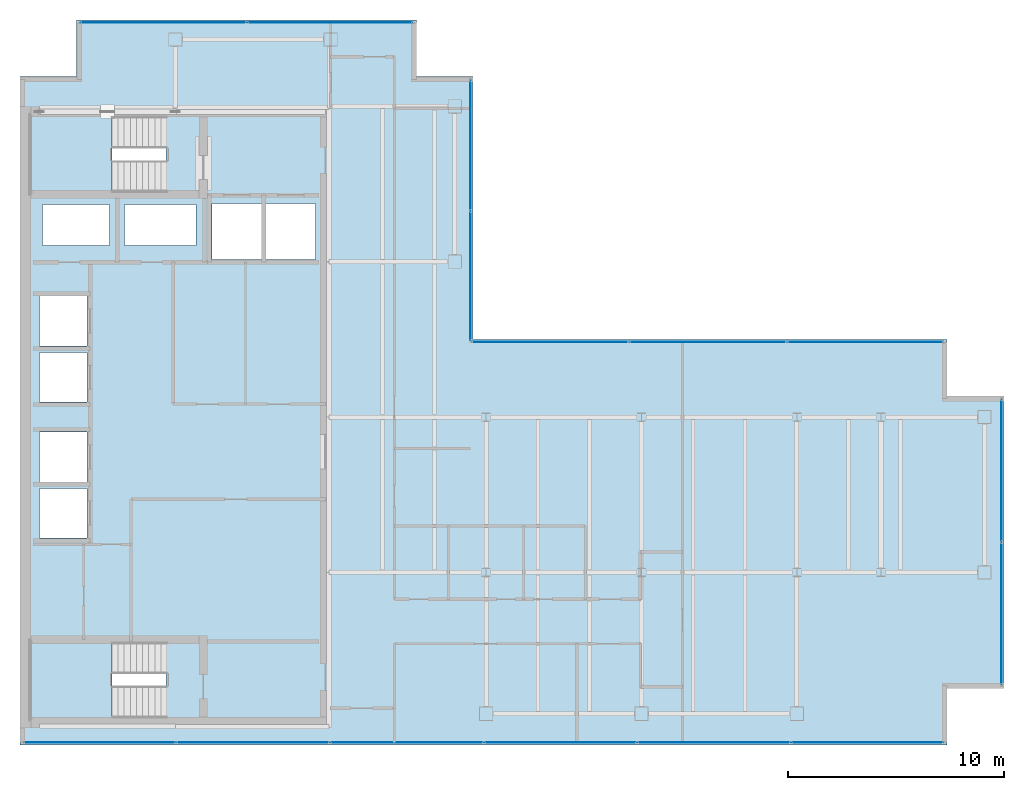
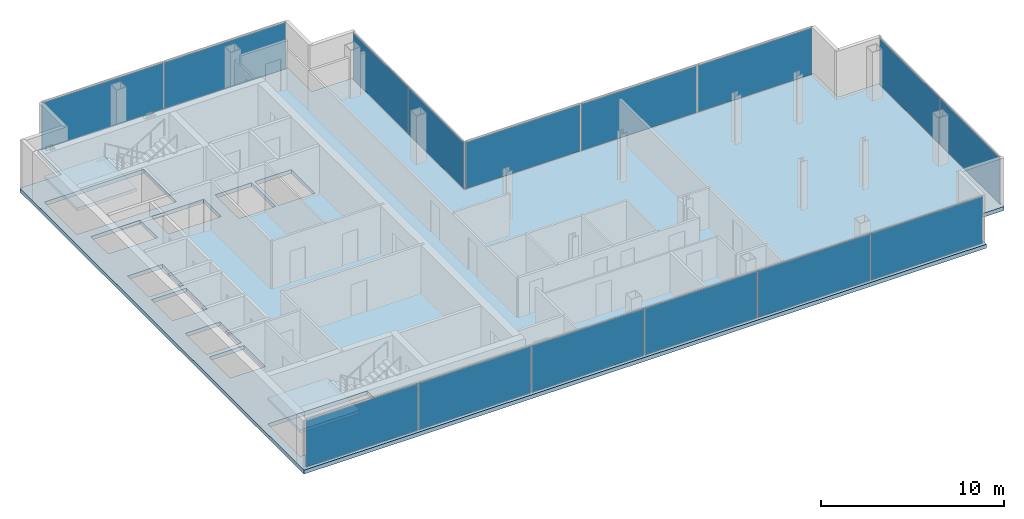
# One storey, part 19 of 23: 15 plates, 3 slabs, 10 openings, 7 elements without a shape of their own.
"""IFC4 building model written with IfcOpenShell, lengths in metres."""

from ifc_helpers import new_model, si_unit, direction, frame, origin, origin_2d, place, context, subcontext, project, spatial, polyline, rectangle, outline, extrude, material, layer, layer_set, type_object, element, aggregate, save


model = new_model("IFC4")

# Units and contexts
model_context = context("Model", 3, precision=1e-05, world=origin(), true_north=direction((0.0, 1.0)))
body_context = subcontext(model_context, "Body", "Model", "MODEL_VIEW")
ifc_project = project(units=[si_unit("LENGTHUNIT", "METRE"), si_unit("AREAUNIT", "SQUARE_METRE"), si_unit("VOLUMEUNIT", "CUBIC_METRE"), si_unit("PLANEANGLEUNIT", "RADIAN"), si_unit("MASSUNIT", "GRAM", prefix="KILO")], contexts=[model_context])

# Site, building, storey
site_placement = place(None, origin())
site = spatial("IfcSite", under=ifc_project, at=site_placement, CompositionType="ELEMENT")
building_placement = place(site_placement, origin())
building = spatial("IfcBuilding", under=site, at=building_placement, Name="Cobrela Telecom Tower", CompositionType="ELEMENT")
storey_placement = place(building_placement, frame((0.0, 0.0, 276.14990234375)))
storey = spatial("IfcBuildingStorey", under=building, at=storey_placement, Name="L72", CompositionType="ELEMENT", Elevation=276.14990234375)

# Curtain wall, plates
ifc_material_1 = material(Name="Anodized Bronze Aluminium 6063-T6", Category="aluminium")
curtain_wall_type = type_object("IfcCurtainWallType", Name="CW-SYS-OFF-HI", PredefinedType="USERDEFINED", material=ifc_material_1)
curtain_wall_1_placement = place(storey_placement, origin())
curtain_wall_1 = element("IfcCurtainWall", 1, at=curtain_wall_1_placement, inside=storey, type_object=curtain_wall_type, Name="L72 Unitised Bronze Curtain Wall 05", ObjectType="UNITISED CURTAIN WALL", PredefinedType="USERDEFINED")
ifc_material_2 = material(Name="Solar-Control Bronze Low-E Glass", Category="glass")
ifc_layer_1 = layer(ifc_material_2, 0.030029296875)
ifc_layer_set_1 = layer_set([ifc_layer_1], Name="Solar-Control Bronze Low-E Glass")
plate_type = type_object("IfcPlateType", Name="CW-SYS-OFF-HI-PNL", PredefinedType="CURTAIN_PANEL", material=ifc_layer_set_1)
plate_1_placement = place(storey_placement, frame((6.642578125, 39.8798828125, 0.06494140625), z_axis=(0.0, 0.0, 1.0), x_axis=(1.0, 0.0, 0.0)))
plate_1 = element("IfcPlate", 2, at=plate_1_placement, type_object=plate_type, Name="CW-OFF-HI panel 1.1", PredefinedType="CURTAIN_PANEL", context=body_context, shape_type="SweptSolid", body=[
    extrude(rectangle(XDim=7.64501953125, YDim=0.030029296875, at=origin_2d()), origin(), (0.0, 0.0, 1.0), 3.110107421875),
])
plate_2_placement = place(storey_placement, frame((14.357421875, 39.8798828125, 0.06494140625), z_axis=(0.0, 0.0, 1.0), x_axis=(1.0, 0.0, 0.0)))
plate_2 = element("IfcPlate", 3, at=plate_2_placement, type_object=plate_type, Name="CW-OFF-HI panel 2.1", PredefinedType="CURTAIN_PANEL", context=body_context, shape_type="SweptSolid", body=[
    extrude(rectangle(XDim=7.64501953125, YDim=0.030029296875, at=origin_2d()), origin(), (0.0, 0.0, 1.0), 3.110107421875),
])
aggregate(curtain_wall_1, [plate_1, plate_2])

curtain_wall_2_placement = place(storey_placement, origin())
curtain_wall_2 = element("IfcCurtainWall", 4, at=curtain_wall_2_placement, inside=storey, type_object=curtain_wall_type, Name="L72 Unitised Bronze Curtain Wall 08", ObjectType="UNITISED CURTAIN WALL", PredefinedType="USERDEFINED")
plate_3_placement = place(storey_placement, frame((20.8798828125, 34.18994140625, 0.06494140625), z_axis=(0.0, 0.0, 1.0), x_axis=(0.0, -1.0, 0.0)))
plate_3 = element("IfcPlate", 5, at=plate_3_placement, type_object=plate_type, Name="CW-OFF-HI panel 1.1", PredefinedType="CURTAIN_PANEL", context=body_context, shape_type="SweptSolid", body=[
    extrude(rectangle(XDim=5.97998046875, YDim=0.030029296875, at=origin_2d()), origin(), (0.0, 0.0, 1.0), 3.110107421875),
])
plate_4_placement = place(storey_placement, frame((20.8798828125, 28.139892578125, 0.06494140625), z_axis=(0.0, 0.0, 1.0), x_axis=(0.0, -1.0, 0.0)))
plate_4 = element("IfcPlate", 6, at=plate_4_placement, type_object=plate_type, Name="CW-OFF-HI panel 2.1", PredefinedType="CURTAIN_PANEL", context=body_context, shape_type="SweptSolid", body=[
    extrude(rectangle(XDim=5.97998046875, YDim=0.030029296875, at=origin_2d()), origin(), (0.0, 0.0, 1.0), 3.110107421875),
])
aggregate(curtain_wall_2, [plate_3, plate_4])

curtain_wall_3_placement = place(storey_placement, origin())
curtain_wall_3 = element("IfcCurtainWall", 7, at=curtain_wall_3_placement, inside=storey, type_object=curtain_wall_type, Name="L72 Unitised Bronze Curtain Wall 09", ObjectType="UNITISED CURTAIN WALL", PredefinedType="USERDEFINED")
plate_5_placement = place(storey_placement, frame((24.55908203125, 25.080078125, 0.06494140625), z_axis=(0.0, 0.0, 1.0), x_axis=(1.0, 0.0, 0.0)))
plate_5 = element("IfcPlate", 8, at=plate_5_placement, type_object=plate_type, Name="CW-OFF-HI panel 1.1", PredefinedType="CURTAIN_PANEL", context=body_context, shape_type="SweptSolid", body=[
    extrude(rectangle(XDim=7.21826171875, YDim=0.030029296875, at=origin_2d()), origin(), (0.0, 0.0, 1.0), 3.110107421875),
])
plate_6_placement = place(storey_placement, frame((31.864990234375, 25.080078125, 0.06494140625), z_axis=(0.0, 0.0, 1.0), x_axis=(1.0, 0.0, 0.0)))
plate_6 = element("IfcPlate", 9, at=plate_6_placement, type_object=plate_type, Name="CW-OFF-HI panel 2.1", PredefinedType="CURTAIN_PANEL", context=body_context, shape_type="SweptSolid", body=[
    extrude(rectangle(XDim=7.25341796875, YDim=0.030029296875, at=origin_2d()), origin(), (0.0, 0.0, 1.0), 3.110107421875),
])
plate_7_placement = place(storey_placement, frame((39.1708984375, 25.080078125, 0.06494140625), z_axis=(0.0, 0.0, 1.0), x_axis=(1.0, 0.0, 0.0)))
plate_7 = element("IfcPlate", 10, at=plate_7_placement, type_object=plate_type, Name="CW-OFF-HI panel 3.1", PredefinedType="CURTAIN_PANEL", context=body_context, shape_type="SweptSolid", body=[
    extrude(rectangle(XDim=7.21826171875, YDim=0.030029296875, at=origin_2d()), origin(), (0.0, 0.0, 1.0), 3.110107421875),
])
aggregate(curtain_wall_3, [plate_5, plate_6, plate_7])

curtain_wall_4_placement = place(storey_placement, origin())
curtain_wall_4 = element("IfcCurtainWall", 11, at=curtain_wall_4_placement, inside=storey, type_object=curtain_wall_type, Name="L72 Unitised Bronze Curtain Wall 12", ObjectType="UNITISED CURTAIN WALL", PredefinedType="USERDEFINED")
plate_8_placement = place(storey_placement, frame((45.47998046875, 19.107421875, 0.06494140625), z_axis=(0.0, 0.0, 1.0), x_axis=(0.0, -1.0, 0.0)))
plate_8 = element("IfcPlate", 12, at=plate_8_placement, type_object=plate_type, Name="CW-OFF-HI panel 1.1", PredefinedType="CURTAIN_PANEL", context=body_context, shape_type="SweptSolid", body=[
    extrude(rectangle(XDim=6.544921875, YDim=0.030029296875, at=origin_2d()), origin(), (0.0, 0.0, 1.0), 3.110107421875),
])
plate_9_placement = place(storey_placement, frame((45.47998046875, 12.492431640625, 0.06494140625), z_axis=(0.0, 0.0, 1.0), x_axis=(0.0, -1.0, 0.0)))
plate_9 = element("IfcPlate", 13, at=plate_9_placement, type_object=plate_type, Name="CW-OFF-HI panel 2.1", PredefinedType="CURTAIN_PANEL", context=body_context, shape_type="SweptSolid", body=[
    extrude(rectangle(XDim=6.544921875, YDim=0.030029296875, at=origin_2d()), origin(), (0.0, 0.0, 1.0), 3.110107421875),
])
aggregate(curtain_wall_4, [plate_8, plate_9])

curtain_wall_5_placement = place(storey_placement, origin())
curtain_wall_5 = element("IfcCurtainWall", 14, at=curtain_wall_5_placement, inside=storey, type_object=curtain_wall_type, Name="L72 Unitised Bronze Curtain Wall 15", ObjectType="UNITISED CURTAIN WALL", PredefinedType="USERDEFINED")
plate_10_placement = place(storey_placement, frame((39.271728515625, 6.52001953125, 0.06494140625), z_axis=(0.0, 0.0, 1.0), x_axis=(-1.0, 0.0, 0.0)))
plate_10 = element("IfcPlate", 15, at=plate_10_placement, type_object=plate_type, Name="CW-OFF-HI panel 1.1", PredefinedType="CURTAIN_PANEL", context=body_context, shape_type="SweptSolid", body=[
    extrude(rectangle(XDim=7.0166015625, YDim=0.030029296875, at=origin_2d()), origin(), (0.0, 0.0, 1.0), 3.110107421875),
])
plate_11_placement = place(storey_placement, frame((32.16748046875, 6.52001953125, 0.06494140625), z_axis=(0.0, 0.0, 1.0), x_axis=(-1.0, 0.0, 0.0)))
plate_11 = element("IfcPlate", 16, at=plate_11_placement, type_object=plate_type, Name="CW-OFF-HI panel 2.1", PredefinedType="CURTAIN_PANEL", context=body_context, shape_type="SweptSolid", body=[
    extrude(rectangle(XDim=7.0517578125, YDim=0.030029296875, at=origin_2d()), origin(), (0.0, 0.0, 1.0), 3.110107421875),
])
plate_12_placement = place(storey_placement, frame((25.0458984375, 6.52001953125, 0.06494140625), z_axis=(0.0, 0.0, 1.0), x_axis=(-1.0, 0.0, 0.0)))
plate_12 = element("IfcPlate", 17, at=plate_12_placement, type_object=plate_type, Name="CW-OFF-HI panel 3.1", PredefinedType="CURTAIN_PANEL", context=body_context, shape_type="SweptSolid", body=[
    extrude(rectangle(XDim=7.0517578125, YDim=0.030029296875, at=origin_2d()), origin(), (0.0, 0.0, 1.0), 3.110107421875),
])
plate_13_placement = place(storey_placement, frame((17.924072265625, 6.52001953125, 0.06494140625), z_axis=(0.0, 0.0, 1.0), x_axis=(-1.0, 0.0, 0.0)))
plate_13 = element("IfcPlate", 18, at=plate_13_placement, type_object=plate_type, Name="CW-OFF-HI panel 4.1", PredefinedType="CURTAIN_PANEL", context=body_context, shape_type="SweptSolid", body=[
    extrude(rectangle(XDim=7.0517578125, YDim=0.030029296875, at=origin_2d()), origin(), (0.0, 0.0, 1.0), 3.110107421875),
])
plate_14_placement = place(storey_placement, frame((10.802490234375, 6.52001953125, 0.06494140625), z_axis=(0.0, 0.0, 1.0), x_axis=(-1.0, 0.0, 0.0)))
plate_14 = element("IfcPlate", 19, at=plate_14_placement, type_object=plate_type, Name="CW-OFF-HI panel 5.1", PredefinedType="CURTAIN_PANEL", context=body_context, shape_type="SweptSolid", body=[
    extrude(rectangle(XDim=7.0517578125, YDim=0.030029296875, at=origin_2d()), origin(), (0.0, 0.0, 1.0), 3.110107421875),
])
plate_15_placement = place(storey_placement, frame((3.6982421875, 6.52001953125, 0.06494140625), z_axis=(0.0, 0.0, 1.0), x_axis=(-1.0, 0.0, 0.0)))
plate_15 = element("IfcPlate", 20, at=plate_15_placement, type_object=plate_type, Name="CW-OFF-HI panel 6.1", PredefinedType="CURTAIN_PANEL", context=body_context, shape_type="SweptSolid", body=[
    extrude(rectangle(XDim=7.0166015625, YDim=0.030029296875, at=origin_2d()), origin(), (0.0, 0.0, 1.0), 3.110107421875),
])
aggregate(curtain_wall_5, [plate_10, plate_11, plate_12, plate_13, plate_14, plate_15])

# Slab, openings
ifc_material_3 = material(Name="Concrete C40/50", Category="concrete")
ifc_layer_2 = layer(ifc_material_3, 0.260009765625)
ifc_layer_set_2 = layer_set([ifc_layer_2], Name="Concrete C40/50")
slab_type_1 = type_object("IfcSlabType", Name="SLAB-FLR-260", PredefinedType="FLOOR", material=ifc_layer_set_2)
slab_1_placement = place(storey_placement, frame((0.0, 0.0, -0.260009765625)))
slab_1 = element("IfcSlab", 21, at=slab_1_placement, inside=storey, type_object=slab_type_1, Name="L72 Structural Floor Slab", PredefinedType="FLOOR", context=body_context, shape_type="SweptSolid", body=[
    extrude(outline(polyline([(0.0, 6.39990234375), (42.969970703125, 6.39990234375), (42.969970703125, 9.030029296875), (45.60009765625, 9.030029296875), (45.60009765625, 22.570068359375), (42.969970703125, 22.570068359375), (42.969970703125, 25.199951171875), (21.0, 25.199951171875), (21.0, 37.3701171875), (18.3701171875, 37.3701171875), (18.3701171875, 40.0), (2.6298828125, 40.0), (2.6298828125, 37.3701171875), (0.0, 37.3701171875), (0.0, 6.39990234375)])), origin(), (0.0, 0.0, 1.0), 0.260009765625),
])
opening_1_placement = place(slab_1_placement, frame((0.0, 0.0, -0.02001953125)))
element("IfcOpeningElement", 22, at=opening_1_placement, cuts=slab_1, Name="Slab Shaft Opening SLAB-L72-MAIN.1", PredefinedType="OPENING", context=body_context, shape_type="SweptSolid", body=[
    extrude(outline(polyline([(8.89990234375, 28.89990234375), (11.199951171875, 28.89990234375), (11.199951171875, 31.5), (8.89990234375, 31.5), (8.89990234375, 28.89990234375)])), origin(), (0.0, 0.0, 1.0), 0.300048828125),
])
opening_2_placement = place(slab_1_placement, frame((0.0, 0.0, -0.02001953125)))
element("IfcOpeningElement", 23, at=opening_2_placement, cuts=slab_1, Name="Slab Shaft Opening SLAB-L72-MAIN.2", PredefinedType="OPENING", context=body_context, shape_type="SweptSolid", body=[
    extrude(outline(polyline([(11.39990234375, 28.89990234375), (13.699951171875, 28.89990234375), (13.699951171875, 31.5), (11.39990234375, 31.5), (11.39990234375, 28.89990234375)])), origin(), (0.0, 0.0, 1.0), 0.300048828125),
])
opening_3_placement = place(slab_1_placement, frame((0.0, 0.0, -0.02001953125)))
element("IfcOpeningElement", 24, at=opening_3_placement, cuts=slab_1, Name="Slab Shaft Opening SLAB-L72-MAIN.3", PredefinedType="OPENING", context=body_context, shape_type="SweptSolid", body=[
    extrude(outline(polyline([(0.89990234375, 16.0), (3.10009765625, 16.0), (3.10009765625, 18.300048828125), (0.89990234375, 18.300048828125), (0.89990234375, 16.0)])), origin(), (0.0, 0.0, 1.0), 0.300048828125),
])
opening_4_placement = place(slab_1_placement, frame((0.0, 0.0, -0.02001953125)))
element("IfcOpeningElement", 25, at=opening_4_placement, cuts=slab_1, Name="Slab Shaft Opening SLAB-L72-MAIN.4", PredefinedType="OPENING", context=body_context, shape_type="SweptSolid", body=[
    extrude(outline(polyline([(0.89990234375, 18.60009765625), (3.10009765625, 18.60009765625), (3.10009765625, 20.89990234375), (0.89990234375, 20.89990234375), (0.89990234375, 18.60009765625)])), origin(), (0.0, 0.0, 1.0), 0.300048828125),
])
opening_5_placement = place(slab_1_placement, frame((0.0, 0.0, -0.02001953125)))
element("IfcOpeningElement", 26, at=opening_5_placement, cuts=slab_1, Name="Slab Shaft Opening SLAB-L72-MAIN.5", PredefinedType="OPENING", context=body_context, shape_type="SweptSolid", body=[
    extrude(outline(polyline([(0.89990234375, 22.300048828125), (3.10009765625, 22.300048828125), (3.10009765625, 24.60009765625), (0.89990234375, 24.60009765625), (0.89990234375, 22.300048828125)])), origin(), (0.0, 0.0, 1.0), 0.300048828125),
])
opening_6_placement = place(slab_1_placement, frame((0.0, 0.0, -0.02001953125)))
element("IfcOpeningElement", 27, at=opening_6_placement, cuts=slab_1, Name="Slab Shaft Opening SLAB-L72-MAIN.6", PredefinedType="OPENING", context=body_context, shape_type="SweptSolid", body=[
    extrude(outline(polyline([(0.89990234375, 24.89990234375), (3.10009765625, 24.89990234375), (3.10009765625, 27.199951171875), (0.89990234375, 27.199951171875), (0.89990234375, 24.89990234375)])), origin(), (0.0, 0.0, 1.0), 0.300048828125),
])
opening_7_placement = place(slab_1_placement, frame((0.0, 0.0, -0.02001953125)))
element("IfcOpeningElement", 28, at=opening_7_placement, cuts=slab_1, Name="Slab Shaft Opening SLAB-L72-MAIN.7", PredefinedType="OPENING", context=body_context, shape_type="SweptSolid", body=[
    extrude(outline(polyline([(1.050048828125, 29.550048828125), (4.14990234375, 29.550048828125), (4.14990234375, 31.449951171875), (1.050048828125, 31.449951171875), (1.050048828125, 29.550048828125)])), origin(), (0.0, 0.0, 1.0), 0.300048828125),
])
opening_8_placement = place(slab_1_placement, frame((0.0, 0.0, -0.02001953125)))
element("IfcOpeningElement", 29, at=opening_8_placement, cuts=slab_1, Name="Slab Shaft Opening SLAB-L72-MAIN.8", PredefinedType="OPENING", context=body_context, shape_type="SweptSolid", body=[
    extrude(outline(polyline([(4.85009765625, 29.550048828125), (8.14990234375, 29.550048828125), (8.14990234375, 31.449951171875), (4.85009765625, 31.449951171875), (4.85009765625, 29.550048828125)])), origin(), (0.0, 0.0, 1.0), 0.300048828125),
])
opening_9_placement = place(slab_1_placement, frame((0.0, 0.0, -0.02001953125)))
element("IfcOpeningElement", 30, at=opening_9_placement, cuts=slab_1, Name="Slab Shaft Opening SLAB-L72-MAIN.9", PredefinedType="OPENING", context=body_context, shape_type="SweptSolid", body=[
    extrude(outline(polyline([(6.7548828125, 35.550048828125), (0.47998046875, 35.550048828125), (0.47998046875, 32.0), (6.7548828125, 32.0), (6.7548828125, 35.550048828125)])), origin(), (0.0, 0.0, 1.0), 0.300048828125),
])
opening_10_placement = place(slab_1_placement, frame((0.0, 0.0, -0.02001953125)))
element("IfcOpeningElement", 31, at=opening_10_placement, cuts=slab_1, Name="Slab Shaft Opening SLAB-L72-MAIN.10", PredefinedType="OPENING", context=body_context, shape_type="SweptSolid", body=[
    extrude(outline(polyline([(6.7548828125, 11.199951171875), (0.47998046875, 11.199951171875), (0.47998046875, 7.64990234375), (6.7548828125, 7.64990234375), (6.7548828125, 11.199951171875)])), origin(), (0.0, 0.0, 1.0), 0.300048828125),
])

# Stair, slab
stair_type = type_object("IfcStairType", Name="STAIR-CORE", PredefinedType="HALF_TURN_STAIR", material=ifc_material_3)
stair_1_placement = place(storey_placement, origin())
stair_1 = element("IfcStair", 32, at=stair_1_placement, inside=storey, type_object=stair_type, Name="L72 Smokeproof Exit Stair ST1", PredefinedType="HALF_TURN_STAIR")
ifc_layer_3 = layer(ifc_material_3, 0.199951171875)
ifc_layer_set_3 = layer_set([ifc_layer_3], Name="Concrete C40/50")
slab_type_2 = type_object("IfcSlabType", Name="SLAB-LAND-200", PredefinedType="LANDING", material=ifc_layer_set_3)
slab_2_placement = place(storey_placement, frame((0.0, 0.0, 1.550048828125)))
slab_2 = element("IfcSlab", 33, at=slab_2_placement, type_object=slab_type_2, Name="ST1 landing 1", PredefinedType="LANDING", context=body_context, shape_type="SweptSolid", body=[
    extrude(outline(polyline([(4.2548828125, 35.550048828125), (0.47998046875, 35.550048828125), (0.47998046875, 32.0), (4.2548828125, 32.0), (4.2548828125, 35.550048828125)])), origin(), (0.0, 0.0, 1.0), 0.199951171875),
])
aggregate(stair_1, [slab_2])

stair_2_placement = place(storey_placement, origin())
stair_2 = element("IfcStair", 34, at=stair_2_placement, inside=storey, type_object=stair_type, Name="L72 Smokeproof Exit Stair ST2", PredefinedType="HALF_TURN_STAIR")
slab_3_placement = place(storey_placement, frame((0.0, 0.0, 1.550048828125)))
slab_3 = element("IfcSlab", 35, at=slab_3_placement, type_object=slab_type_2, Name="ST2 landing 1", PredefinedType="LANDING", context=body_context, shape_type="SweptSolid", body=[
    extrude(outline(polyline([(4.2548828125, 11.199951171875), (0.47998046875, 11.199951171875), (0.47998046875, 7.64990234375), (4.2548828125, 7.64990234375), (4.2548828125, 11.199951171875)])), origin(), (0.0, 0.0, 1.0), 0.199951171875),
])
aggregate(stair_2, [slab_3])

save(model, "model.ifc")
